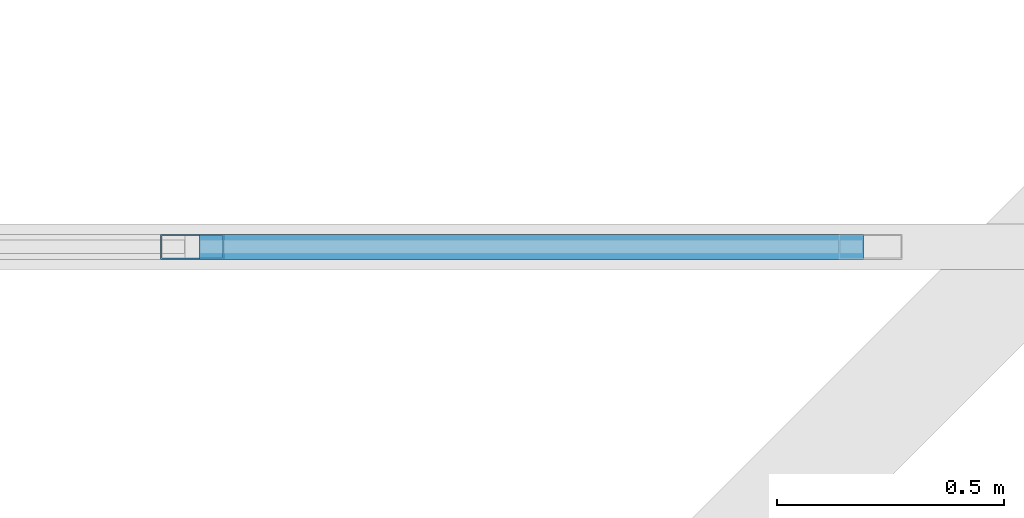
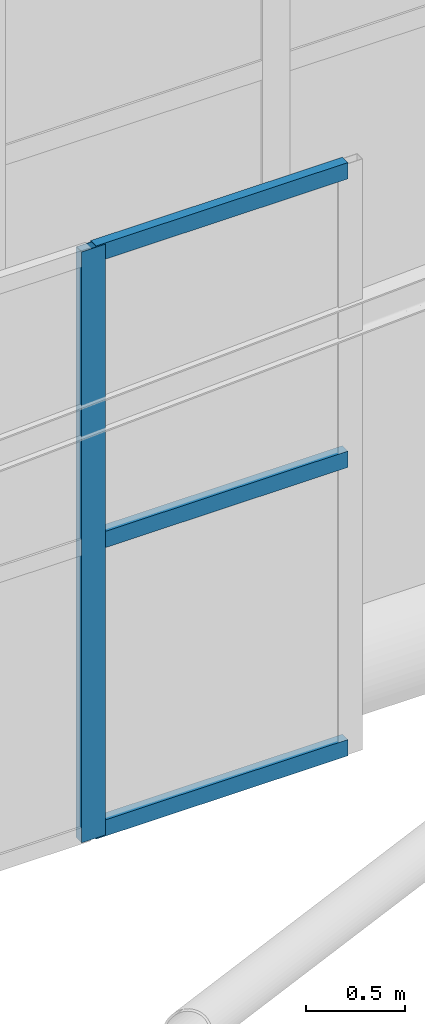
# One storey, part 247 of 397: 4 members, 1 element without a shape of its own.
"""IFC4 building model written with IfcOpenShell, lengths in metres."""

from ifc_helpers import new_model, si_unit, direction, frame, origin, origin_2d, place, context, subcontext, project, spatial, hollow_rectangle, extrude, material, material_profile, profile_set, type_object, element, aggregate, save


model = new_model("IFC4")

# Units and contexts
model_context = context("Model", 3, precision=1e-05, world=origin(), true_north=direction((0.0, 1.0)))
body_context = subcontext(model_context, "Body", "Model", "MODEL_VIEW")
ifc_project = project(units=[si_unit("LENGTHUNIT", "METRE"), si_unit("AREAUNIT", "SQUARE_METRE"), si_unit("VOLUMEUNIT", "CUBIC_METRE"), si_unit("PLANEANGLEUNIT", "RADIAN"), si_unit("MASSUNIT", "GRAM", prefix="KILO")], contexts=[model_context])

# Site, building, storey
site_placement = place(None, origin())
site = spatial("IfcSite", under=ifc_project, at=site_placement, CompositionType="ELEMENT")
building_placement = place(site_placement, origin())
building = spatial("IfcBuilding", under=site, at=building_placement, Name="Qandorah Velis Arena", CompositionType="ELEMENT")
storey_placement = place(building_placement, frame((0.0, 0.0, 27.5)))
storey = spatial("IfcBuildingStorey", under=building, at=storey_placement, Name="RF", CompositionType="ELEMENT", Elevation=27.5)

# Curtain wall, members
ifc_material_1 = material(Name="Solar-control low-E double glazing", Category="glass")
curtain_wall_type = type_object("IfcCurtainWallType", Name="ARC-CW-SYS02", PredefinedType="USERDEFINED", material=ifc_material_1)
curtain_wall_placement = place(storey_placement, origin())
curtain_wall = element("IfcCurtainWall", 1, at=curtain_wall_placement, inside=storey, type_object=curtain_wall_type, Name="Unitised curtain wall MON-4-2", ObjectType="UNITISED CURTAIN WALL", PredefinedType="USERDEFINED")
ifc_material_2 = material(Name="Champagne-bronze anodized aluminium 6063-T6", Category="aluminium")
ifc_material_profile_1 = material_profile(ifc_material_2, hollow_rectangle(XDim=0.054931640625, YDim=0.139892578125, WallThickness=0.0029296875, at=origin_2d()), Name="ALU MULLION 55x140")
ifc_profile_set_1 = profile_set([ifc_material_profile_1], Name="Champagne-bronze anodized aluminium 6063-T6")
member_type_1 = type_object("IfcMemberType", Name="ARC-CWM-140", PredefinedType="MULLION", material=ifc_profile_set_1)
member_1_placement = place(storey_placement, frame((48.52783203125, 108.0, 5.337646484375), z_axis=(0.0, 0.0, 1.0), x_axis=(0.0, 1.0, 0.0)))
member_1 = element("IfcMember", 2, at=member_1_placement, type_object=member_type_1, Name="CW02 mullion 9", PredefinedType="MULLION", context=body_context, shape_type="SweptSolid", body=[
    extrude(hollow_rectangle(XDim=0.054931640625, YDim=0.139892578125, WallThickness=0.0029296875, at=origin_2d()), origin(), (0.0, 0.0, 1.0), 3.630126953125),
])
ifc_material_profile_2 = material_profile(ifc_material_2, hollow_rectangle(XDim=0.054931640625, YDim=0.10009765625, WallThickness=0.0029296875, at=origin_2d()), Name="ALU TRANSOM 55x100")
ifc_profile_set_2 = profile_set([ifc_material_profile_2], Name="Champagne-bronze anodized aluminium 6063-T6")
member_type_2 = type_object("IfcMemberType", Name="ARC-CWT-100", PredefinedType="USERDEFINED", material=ifc_profile_set_2)
member_2_placement = place(storey_placement, frame((48.543212890625, 108.0, 5.380126953125), z_axis=(1.0, 0.0, 0.0), x_axis=(0.0, 1.0, 0.0)))
member_2 = element("IfcMember", 3, at=member_2_placement, type_object=member_type_2, Name="CW02 transom 9.1", ObjectType="TRANSOM", PredefinedType="USERDEFINED", context=body_context, shape_type="SweptSolid", body=[
    extrude(hollow_rectangle(XDim=0.054931640625, YDim=0.10009765625, WallThickness=0.0029296875, at=origin_2d()), origin(), (0.0, 0.0, 1.0), 1.4638671875),
])
member_3_placement = place(storey_placement, frame((48.543212890625, 108.0, 7.152587890625), z_axis=(1.0, 0.0, 0.0), x_axis=(0.0, 1.0, 0.0)))
member_3 = element("IfcMember", 4, at=member_3_placement, type_object=member_type_2, Name="CW02 transom 9.2", ObjectType="TRANSOM", PredefinedType="USERDEFINED", context=body_context, shape_type="SweptSolid", body=[
    extrude(hollow_rectangle(XDim=0.054931640625, YDim=0.10009765625, WallThickness=0.0029296875, at=origin_2d()), origin(), (0.0, 0.0, 1.0), 1.4638671875),
])
member_4_placement = place(storey_placement, frame((48.543212890625, 108.0, 8.92529296875), z_axis=(1.0, 0.0, 0.0), x_axis=(0.0, 1.0, 0.0)))
member_4 = element("IfcMember", 5, at=member_4_placement, type_object=member_type_2, Name="CW02 transom 9.3", ObjectType="TRANSOM", PredefinedType="USERDEFINED", context=body_context, shape_type="SweptSolid", body=[
    extrude(hollow_rectangle(XDim=0.054931640625, YDim=0.10009765625, WallThickness=0.0029296875, at=origin_2d()), origin(), (0.0, 0.0, 1.0), 1.4638671875),
])
aggregate(curtain_wall, [member_1, member_2, member_3, member_4])

save(model, "model.ifc")
